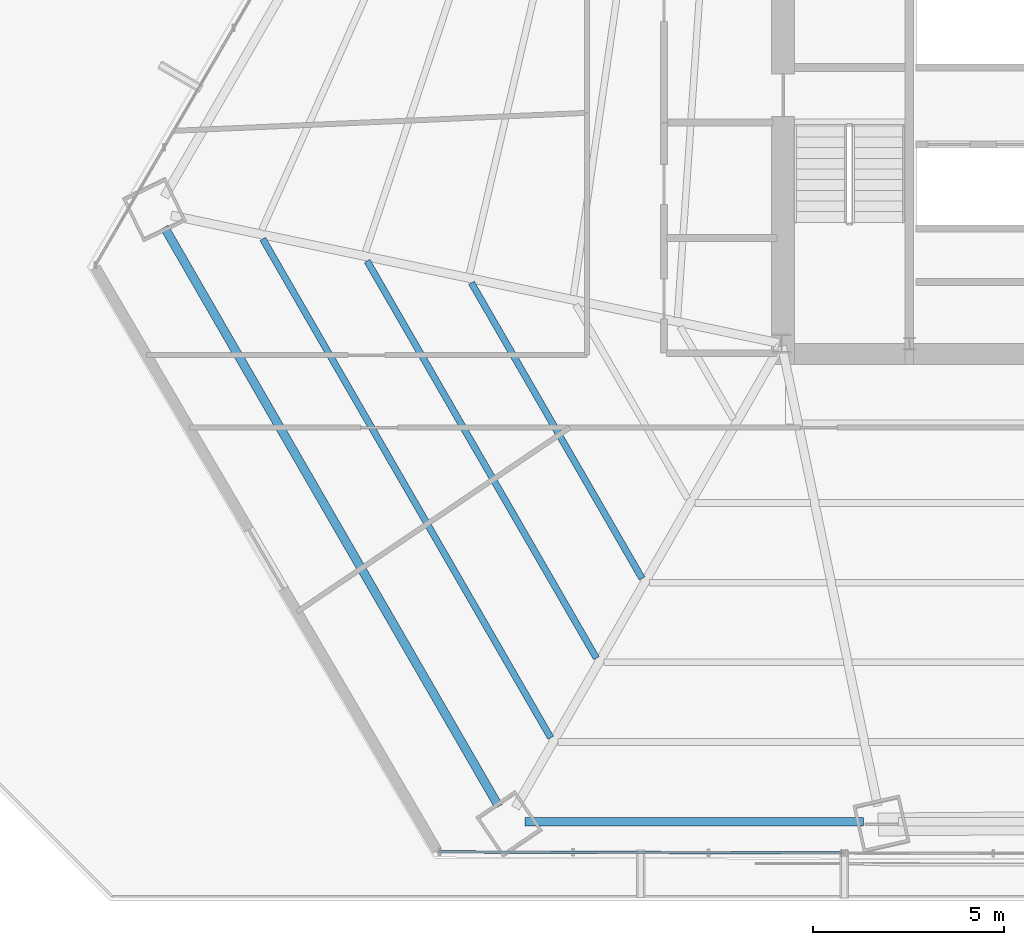
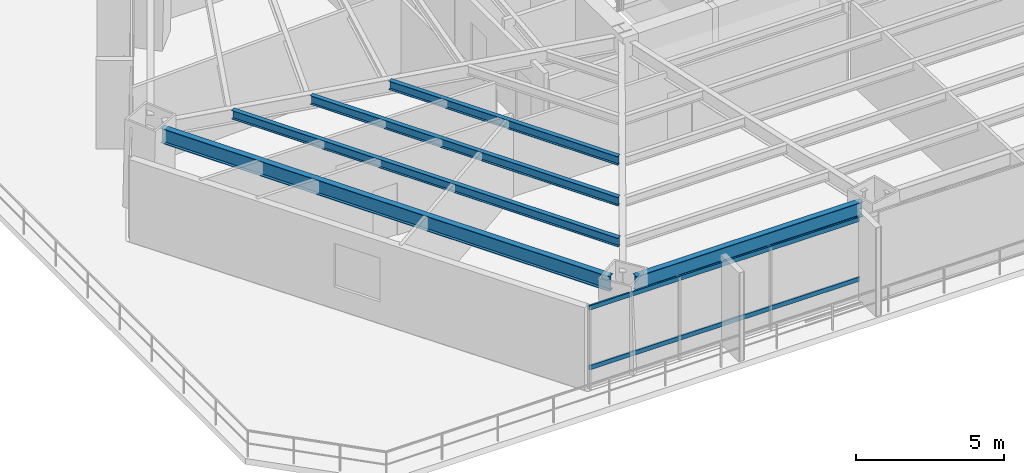
# One storey, part 5 of 35: 5 beams, 2 members, 1 element without a shape of its own.
"""IFC4 building model written with IfcOpenShell, lengths in metres."""

from ifc_helpers import new_model, si_unit, direction, frame, origin, origin_2d, place, context, subcontext, project, spatial, hollow_rectangle, i_section, extrude, source, transform, mapped, material, material_profile, profile_set, type_object, type_shapes, element, aggregate, save


model = new_model("IFC4")

# Units and contexts
model_context = context("Model", 3, precision=1e-05, world=origin(), true_north=direction((0.0, 1.0)))
body_context = subcontext(model_context, "Body", "Model", "MODEL_VIEW")
ifc_project = project(units=[si_unit("LENGTHUNIT", "METRE"), si_unit("AREAUNIT", "SQUARE_METRE"), si_unit("VOLUMEUNIT", "CUBIC_METRE"), si_unit("PLANEANGLEUNIT", "RADIAN"), si_unit("MASSUNIT", "GRAM", prefix="KILO")], contexts=[model_context])

# Site, building, storey
site_placement = place(None, origin())
site = spatial("IfcSite", under=ifc_project, at=site_placement, CompositionType="ELEMENT")
building_placement = place(site_placement, origin())
building = spatial("IfcBuilding", under=site, at=building_placement, Name="Caelisora Broadcast Tower", CompositionType="ELEMENT")
storey_placement = place(building_placement, frame((0.0, 0.0, 27.60009765625)))
storey = spatial("IfcBuildingStorey", under=building, at=storey_placement, Name="L06", CompositionType="ELEMENT", Elevation=27.60009765625)

# Beams
ifc_material_1 = material(Name="Steel Grade 350 (AS/NZS 3679.1)", Category="steel")
ifc_material_profile_1 = material_profile(ifc_material_1, i_section(OverallWidth=0.22900390625, OverallDepth=0.611572265625, WebThickness=0.011962890625, FlangeThickness=0.01953125, at=origin_2d()), Name="Steel Grade 350 (AS/NZS 3679.1)")
ifc_profile_set_1 = profile_set([ifc_material_profile_1], Name="Steel Grade 350 (AS/NZS 3679.1)")
beam_type_1 = type_object("IfcBeamType", Name="PG03", PredefinedType="BEAM", material=ifc_profile_set_1)
shared_shape_1 = source(origin(), body_context, "Body", "SweptSolid", [
    extrude(i_section(OverallWidth=0.22900390625, OverallDepth=0.611572265625, WebThickness=0.011962890625, FlangeThickness=0.01953125, at=origin_2d()), origin(), (0.0, 0.0, 1.0), 17.528564453125),
])
beam_1_placement = place(storey_placement, frame((14.32421875, 20.450927734375, 3.093994140625), z_axis=(0.499994933211, -0.866028329077, 0.0), x_axis=(0.866028329077, 0.499994933211, 0.0)))
element("IfcBeam", 1, at=beam_1_placement, inside=storey, type_object=beam_type_1, Name="L06 beam PG03", PredefinedType="BEAM", context=body_context, shape_type="MappedRepresentation", body=[
    mapped(shared_shape_1, transform((0.0, 0.0, 0.0), scale=1.0)),
])
shared_shape_2 = source(origin(), body_context, "Body", "SweptSolid", [
    extrude(i_section(OverallWidth=0.22900390625, OverallDepth=0.611572265625, WebThickness=0.011962890625, FlangeThickness=0.01953125, at=origin_2d()), origin(), (0.0, 0.0, 1.0), 8.86767578125),
])
type_shapes(beam_type_1, [shared_shape_1, shared_shape_2])
beam_2_placement = place(storey_placement, frame((23.778564453125, 4.872314453125, 3.093994140625), z_axis=(1.0, 0.0, 0.0), x_axis=(0.0, 1.0, 0.0)))
element("IfcBeam", 2, at=beam_2_placement, inside=storey, type_object=beam_type_1, Name="L06 beam PG03", PredefinedType="BEAM", context=body_context, shape_type="MappedRepresentation", body=[
    mapped(shared_shape_2, transform((0.0, 0.0, 0.0), scale=1.0)),
])
ifc_material_profile_2 = material_profile(ifc_material_1, i_section(OverallWidth=0.172119140625, OverallDepth=0.358642578125, WebThickness=0.008056640625, FlangeThickness=0.012939453125, at=origin_2d()), Name="Steel Grade 350 (AS/NZS 3679.1)")
ifc_profile_set_2 = profile_set([ifc_material_profile_2], Name="Steel Grade 350 (AS/NZS 3679.1)")
beam_type_2 = type_object("IfcBeamType", Name="SB02", PredefinedType="JOIST", material=ifc_profile_set_2)
shared_shape_3 = source(origin(), body_context, "Body", "SweptSolid", [
    extrude(i_section(OverallWidth=0.172119140625, OverallDepth=0.358642578125, WebThickness=0.008056640625, FlangeThickness=0.012939453125, at=origin_2d()), origin(), (0.0, 0.0, 1.0), 8.9453125),
])
beam_3_placement = place(storey_placement, frame((22.3720703125, 18.99462890625, 3.220703125), z_axis=(0.500002018464, -0.866024238421, 0.0), x_axis=(0.866024238421, 0.500002018464, 0.0)))
element("IfcBeam", 3, at=beam_3_placement, inside=storey, type_object=beam_type_2, Name="L06 beam SB02", PredefinedType="JOIST", context=body_context, shape_type="MappedRepresentation", body=[
    mapped(shared_shape_3, transform((0.0, 0.0, 0.0), scale=1.0)),
])
shared_shape_4 = source(origin(), body_context, "Body", "SweptSolid", [
    extrude(i_section(OverallWidth=0.172119140625, OverallDepth=0.358642578125, WebThickness=0.008056640625, FlangeThickness=0.012939453125, at=origin_2d()), origin(), (0.0, 0.0, 1.0), 12.020263671875),
])
beam_4_placement = place(storey_placement, frame((19.6376953125, 19.569580078125, 3.220703125), z_axis=(0.500014307286, -0.866017143312, 0.0), x_axis=(0.866017143312, 0.500014307286, 0.0)))
element("IfcBeam", 4, at=beam_4_placement, inside=storey, type_object=beam_type_2, Name="L06 beam SB02", PredefinedType="JOIST", context=body_context, shape_type="MappedRepresentation", body=[
    mapped(shared_shape_4, transform((0.0, 0.0, 0.0), scale=1.0)),
])
shared_shape_5 = source(origin(), body_context, "Body", "SweptSolid", [
    extrude(i_section(OverallWidth=0.172119140625, OverallDepth=0.358642578125, WebThickness=0.008056640625, FlangeThickness=0.012939453125, at=origin_2d()), origin(), (0.0, 0.0, 1.0), 15.094482421875),
])
type_shapes(beam_type_2, [shared_shape_3, shared_shape_4, shared_shape_5])
beam_5_placement = place(storey_placement, frame((16.903564453125, 20.144287109375, 3.220703125), z_axis=(0.500004332856, -0.866022902194, 0.0), x_axis=(0.866022902194, 0.500004332856, 0.0)))
element("IfcBeam", 5, at=beam_5_placement, inside=storey, type_object=beam_type_2, Name="L06 beam SB02", PredefinedType="JOIST", context=body_context, shape_type="MappedRepresentation", body=[
    mapped(shared_shape_5, transform((0.0, 0.0, 0.0), scale=1.0)),
])

# Curtain wall, members
ifc_material_2 = material(Name="Unitised Aluminium and Low-E Glass Curtain Wall", Category="glass")
curtain_wall_type = type_object("IfcCurtainWallType", Name="CW-Z1", PredefinedType="NOTDEFINED", material=ifc_material_2)
curtain_wall_placement = place(storey_placement, origin())
curtain_wall = element("IfcCurtainWall", 6, at=curtain_wall_placement, inside=storey, type_object=curtain_wall_type, Name="L06 curtain wall CW-Z1", PredefinedType="NOTDEFINED")
ifc_material_3 = material(Name="Aluminium 6063-T6 Anodised Terracotta Bronze", Category="aluminium")
ifc_material_profile_3 = material_profile(ifc_material_3, hollow_rectangle(XDim=0.06494140625, YDim=0.179931640625, WallThickness=0.00341796875, at=origin_2d()), Name="Aluminium 6063-T6 Anodised Terracotta Bronze")
ifc_profile_set_3 = profile_set([ifc_material_profile_3], Name="Aluminium 6063-T6 Anodised Terracotta Bronze")
member_type = type_object("IfcMemberType", Name="CWT-01", PredefinedType="USERDEFINED", material=ifc_profile_set_3)
shared_shape_6 = source(origin(), body_context, "Body", "SweptSolid", [
    extrude(hollow_rectangle(XDim=0.06494140625, YDim=0.179931640625, WallThickness=0.00341796875, at=origin_2d()), origin(), (0.0, 0.0, 1.0), 10.5595703125),
])
type_shapes(member_type, [shared_shape_6])
member_1_placement = place(storey_placement, frame((32.090576171875, 4.05224609375, 0.849853515625), z_axis=(-0.999996341299, 0.002705067325, 0.0), x_axis=(-0.002705067325, -0.999996341299, 0.0)))
member_1 = element("IfcMember", 7, at=member_1_placement, type_object=member_type, Name="L06-CW-B07 transom #1", ObjectType="TRANSOM", PredefinedType="USERDEFINED", context=body_context, shape_type="MappedRepresentation", body=[
    mapped(shared_shape_6, transform((0.0, 0.0, 0.0), scale=1.0)),
])
member_2_placement = place(storey_placement, frame((32.090576171875, 4.05224609375, 3.31982421875), z_axis=(-0.999996341299, 0.002705067325, 0.0), x_axis=(-0.002705067325, -0.999996341299, 0.0)))
member_2 = element("IfcMember", 8, at=member_2_placement, type_object=member_type, Name="L06-CW-B07 transom #2", ObjectType="TRANSOM", PredefinedType="USERDEFINED", context=body_context, shape_type="MappedRepresentation", body=[
    mapped(shared_shape_6, transform((0.0, 0.0, 0.0), scale=1.0)),
])
aggregate(curtain_wall, [member_1, member_2])

save(model, "model.ifc")
